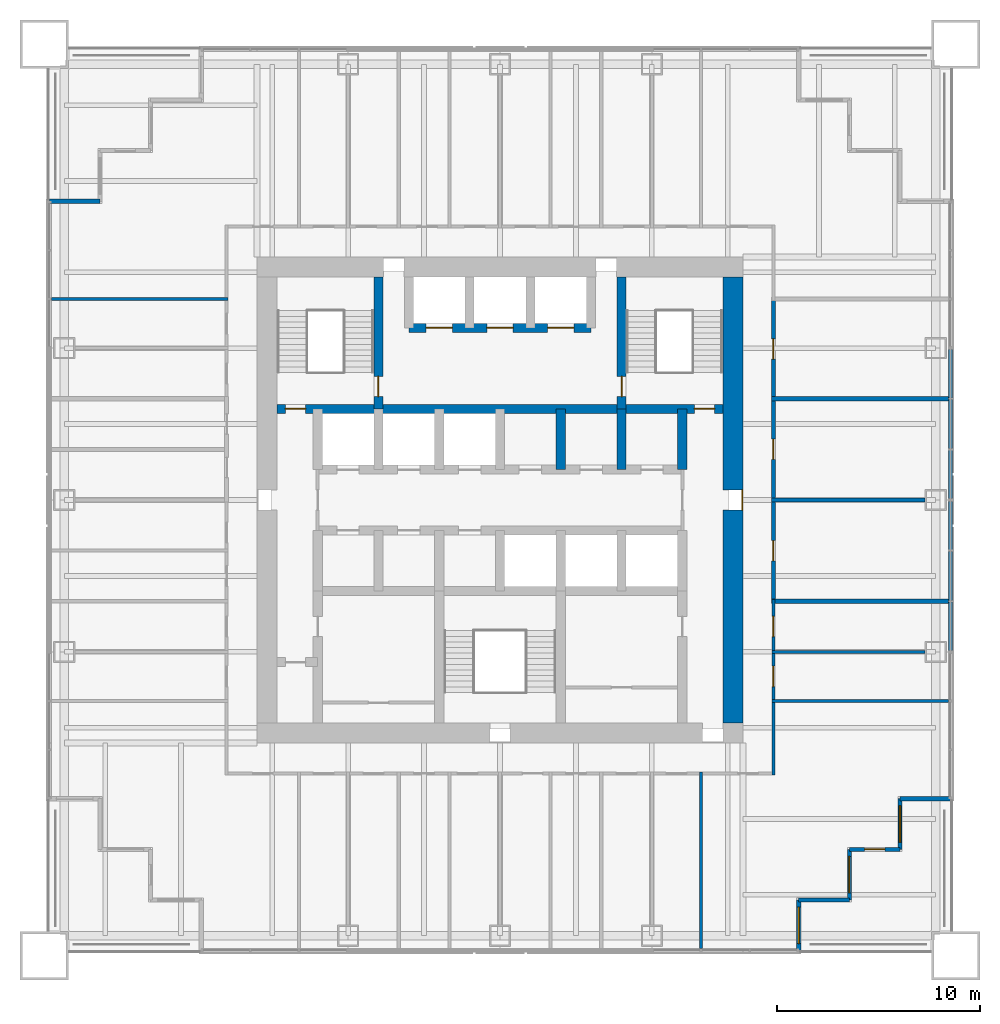
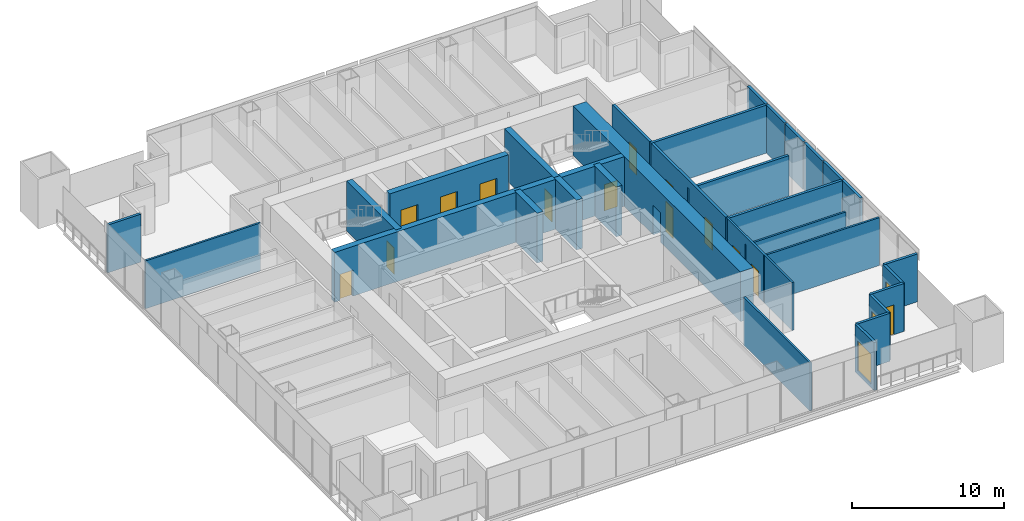
# One storey, part 10 of 14: 30 walls, 14 doors, 3 windows, 17 openings.
"""IFC4 building model written with IfcOpenShell, lengths in metres."""

from ifc_helpers import new_model, si_unit, direction, frame, frame_2d, origin, place, context, subcontext, project, spatial, rectangle, extrude, material, layer, layer_set, type_object, element, fill, save


model = new_model("IFC4")

# Units and contexts
model_context = context("Model", 3, precision=1e-05, world=origin(), true_north=direction((0.0, 1.0)))
body_context = subcontext(model_context, "Body", "Model", "MODEL_VIEW")
ifc_project = project(units=[si_unit("LENGTHUNIT", "METRE"), si_unit("AREAUNIT", "SQUARE_METRE"), si_unit("VOLUMEUNIT", "CUBIC_METRE"), si_unit("PLANEANGLEUNIT", "RADIAN"), si_unit("MASSUNIT", "GRAM", prefix="KILO")], contexts=[model_context])

# Site, building, storey
site_placement = place(None, origin())
site = spatial("IfcSite", under=ifc_project, at=site_placement, CompositionType="ELEMENT")
building_placement = place(site_placement, origin())
building = spatial("IfcBuilding", under=site, at=building_placement, Name="Tarangal Relay Tower", CompositionType="ELEMENT")
storey_placement = place(building_placement, frame((0.0, 0.0, 229.89990234375)))
storey = spatial("IfcBuildingStorey", under=building, at=storey_placement, Name="L49", CompositionType="ELEMENT", Elevation=229.89990234375)

# Walls
ifc_material_1 = material(Name="Two layers gypsum board each side on twin steel studs, mineral wool", Category="steel")
ifc_layer_1 = layer(ifc_material_1, 0.199951171875)
ifc_layer_set_1 = layer_set([ifc_layer_1], Name="Acoustic partition 200")
wall_type_1 = type_object("IfcWallType", Name="Acoustic partition 200", PredefinedType="PARTITIONING", material=ifc_layer_set_1)
wall_1_placement = place(storey_placement, frame((13.39990234375, -5.0, 0.0), z_axis=(0.0, 0.0, 1.0), x_axis=(1.0, 0.0, 0.0)))
element("IfcWall", 1, at=wall_1_placement, inside=storey, type_object=wall_type_1, Name="Partition PT2 L49", PredefinedType="PARTITIONING", context=body_context, shape_type="SweptSolid", body=[
    extrude(rectangle(XDim=8.75, YDim=0.199951171875, at=frame_2d((4.375, 0.0))), origin(), (0.0, 0.0, 1.0), 3.85009765625),
])
wall_2_placement = place(storey_placement, frame((13.39990234375, 0.0, 0.0), z_axis=(0.0, 0.0, 1.0), x_axis=(1.0, 0.0, 0.0)))
element("IfcWall", 2, at=wall_2_placement, inside=storey, type_object=wall_type_1, Name="Partition PT2 L49", PredefinedType="PARTITIONING", context=body_context, shape_type="SweptSolid", body=[
    extrude(rectangle(XDim=7.590087890625, YDim=0.199951171875, at=frame_2d((3.794921875, 0.0))), origin(), (0.0, 0.0, 1.0), 3.238037109375),
])
wall_3_placement = place(storey_placement, frame((13.39990234375, 5.0, 0.0), z_axis=(0.0, 0.0, 1.0), x_axis=(1.0, 0.0, 0.0)))
element("IfcWall", 3, at=wall_3_placement, inside=storey, type_object=wall_type_1, Name="Partition PT2 L49", PredefinedType="PARTITIONING", context=body_context, shape_type="SweptSolid", body=[
    extrude(rectangle(XDim=8.75, YDim=0.199951171875, at=frame_2d((4.375, 0.0))), origin(), (0.0, 0.0, 1.0), 3.85009765625),
])

# Wall, openings, doors
wall_4_placement = place(storey_placement, frame((13.5, -5.10009765625, 0.0), z_axis=(0.0, 0.0, 1.0), x_axis=(0.0, 1.0, 0.0)))
wall_4 = element("IfcWall", 4, at=wall_4_placement, inside=storey, type_object=wall_type_1, Name="Partition PT2 L49", PredefinedType="PARTITIONING", context=body_context, shape_type="SweptSolid", body=[
    extrude(rectangle(XDim=15.1171875, YDim=0.199951171875, at=frame_2d((7.55859375, 0.0))), origin(), (0.0, 0.0, 1.0), 3.85009765625),
])
opening_1_placement = place(wall_4_placement, frame((12.05859375, 0.0, 0.0)))
opening_1 = element("IfcOpeningElement", 5, at=opening_1_placement, cuts=wall_4, Name="Opening D2", PredefinedType="OPENING", context=body_context, shape_type="SweptSolid", body=[
    extrude(rectangle(XDim=1.0, YDim=2.10009765625, at=frame_2d((0.5, 1.050048828125))), frame((0.0, 0.10986328125, 0.0), z_axis=(0.0, -1.0, 0.0), x_axis=(1.0, 0.0, 0.0)), (0.0, 0.0, 1.0), 0.219970703125),
])
opening_2_placement = place(wall_4_placement, frame((7.10009765625, 0.0, 0.0)))
opening_2 = element("IfcOpeningElement", 6, at=opening_2_placement, cuts=wall_4, Name="Opening D2", PredefinedType="OPENING", context=body_context, shape_type="SweptSolid", body=[
    extrude(rectangle(XDim=1.0, YDim=2.10009765625, at=frame_2d((0.5, 1.050048828125))), frame((0.0, 0.10986328125, 0.0), z_axis=(0.0, -1.0, 0.0), x_axis=(1.0, 0.0, 0.0)), (0.0, 0.0, 1.0), 0.219970703125),
])
opening_3_placement = place(wall_4_placement, frame((2.10009765625, 0.0, 0.0)))
opening_3 = element("IfcOpeningElement", 7, at=opening_3_placement, cuts=wall_4, Name="Opening D2", PredefinedType="OPENING", context=body_context, shape_type="SweptSolid", body=[
    extrude(rectangle(XDim=1.0, YDim=2.10009765625, at=frame_2d((0.5, 1.050048828125))), frame((0.0, 0.10986328125, 0.0), z_axis=(0.0, -1.0, 0.0), x_axis=(1.0, 0.0, 0.0)), (0.0, 0.0, 1.0), 0.219970703125),
])
ifc_material_2 = material(Name="Hardwood door", Category="wood")
door_type_1 = type_object("IfcDoorType", Name="Door 1000 x 2100", OperationType="SINGLE_SWING_LEFT", PredefinedType="DOOR", material=ifc_material_2)
door_1_placement = place(opening_1_placement, origin())
door_1 = element("IfcDoor", 8, at=door_1_placement, inside=storey, type_object=door_type_1, Name="Door D2 to meeting room L49-10", OperationType="SINGLE_SWING_LEFT", OverallHeight=2.10009765625, OverallWidth=1.0, PredefinedType="DOOR", context=body_context, shape_type="SweptSolid", body=[
    extrude(rectangle(XDim=1.0, YDim=2.10009765625, at=frame_2d((0.5, 1.050048828125))), frame((0.0, 0.02490234375, 0.0), z_axis=(0.0, -1.0, 0.0), x_axis=(1.0, 0.0, 0.0)), (0.0, 0.0, 1.0), 0.050048828125),
])
fill(opening_1, door_1)
door_2_placement = place(opening_2_placement, origin())
door_2 = element("IfcDoor", 9, at=door_2_placement, inside=storey, type_object=door_type_1, Name="Door D2 to boardroom L49-11", OperationType="SINGLE_SWING_LEFT", OverallHeight=2.10009765625, OverallWidth=1.0, PredefinedType="DOOR", context=body_context, shape_type="SweptSolid", body=[
    extrude(rectangle(XDim=1.0, YDim=2.10009765625, at=frame_2d((0.5, 1.050048828125))), frame((0.0, 0.02490234375, 0.0), z_axis=(0.0, -1.0, 0.0), x_axis=(1.0, 0.0, 0.0)), (0.0, 0.0, 1.0), 0.050048828125),
])
fill(opening_2, door_2)
door_3_placement = place(opening_3_placement, origin())
door_3 = element("IfcDoor", 10, at=door_3_placement, inside=storey, type_object=door_type_1, Name="Door D2 to meeting room L49-12", OperationType="SINGLE_SWING_LEFT", OverallHeight=2.10009765625, OverallWidth=1.0, PredefinedType="DOOR", context=body_context, shape_type="SweptSolid", body=[
    extrude(rectangle(XDim=1.0, YDim=2.10009765625, at=frame_2d((0.5, 1.050048828125))), frame((0.0, 0.02490234375, 0.0), z_axis=(0.0, -1.0, 0.0), x_axis=(1.0, 0.0, 0.0)), (0.0, 0.0, 1.0), 0.050048828125),
])
fill(opening_3, door_3)

ifc_material_3 = material(Name="Concrete fc' 60 MPa", Category="concrete")
ifc_layer_2 = layer(ifc_material_3, 0.449951171875)
ifc_layer_set_2 = layer_set([ifc_layer_2], Name="Core inner wall 450")
wall_type_2 = type_object("IfcWallType", Name="Core inner wall 450", PredefinedType="SHEAR", material=ifc_layer_set_2)
wall_5_placement = place(storey_placement, frame((-11.0, 4.5, 0.0), z_axis=(0.0, 0.0, 1.0), x_axis=(1.0, 0.0, 0.0)))
wall_5 = element("IfcWall", 11, at=wall_5_placement, inside=storey, type_object=wall_type_2, Name="Core wall Y45 L49", PredefinedType="SHEAR", context=body_context, shape_type="SweptSolid", body=[
    extrude(rectangle(XDim=22.0, YDim=0.449951171875, at=frame_2d((11.0, 0.0))), origin(), (0.0, 0.0, 1.0), 4.0),
])
opening_4_placement = place(wall_5_placement, frame((0.39990234375, 0.0, 0.0)))
opening_4 = element("IfcOpeningElement", 12, at=opening_4_placement, cuts=wall_5, Name="Opening FD1", PredefinedType="OPENING", context=body_context, shape_type="SweptSolid", body=[
    extrude(rectangle(XDim=1.0, YDim=2.10009765625, at=frame_2d((0.5, 1.050048828125))), frame((0.0, 0.23486328125, 0.0), z_axis=(0.0, -1.0, 0.0), x_axis=(1.0, 0.0, 0.0)), (0.0, 0.0, 1.0), 0.469970703125),
])
opening_5_placement = place(wall_5_placement, frame((20.60009765625, 0.0, 0.0)))
opening_5 = element("IfcOpeningElement", 13, at=opening_5_placement, cuts=wall_5, Name="Opening FD1", PredefinedType="OPENING", context=body_context, shape_type="SweptSolid", body=[
    extrude(rectangle(XDim=1.0, YDim=2.10009765625, at=frame_2d((0.5, 1.050048828125))), frame((0.0, 0.23486328125, 0.0), z_axis=(0.0, -1.0, 0.0), x_axis=(1.0, 0.0, 0.0)), (0.0, 0.0, 1.0), 0.469970703125),
])
ifc_material_4 = material(Name="Steel door with hardwood frame", Category="steel")
door_type_2 = type_object("IfcDoorType", Name="Fire door 1000 x 2100", OperationType="SINGLE_SWING_LEFT", PredefinedType="DOOR", material=ifc_material_4)
door_4_placement = place(opening_4_placement, origin())
door_4 = element("IfcDoor", 14, at=door_4_placement, inside=storey, type_object=door_type_2, Name="Stair ST-A door from corridor L49", OperationType="SINGLE_SWING_LEFT", OverallHeight=2.10009765625, OverallWidth=1.0, PredefinedType="DOOR", context=body_context, shape_type="SweptSolid", body=[
    extrude(rectangle(XDim=1.0, YDim=2.10009765625, at=frame_2d((0.5, 1.050048828125))), frame((0.0, 0.02490234375, 0.0), z_axis=(0.0, -1.0, 0.0), x_axis=(1.0, 0.0, 0.0)), (0.0, 0.0, 1.0), 0.050048828125),
])
fill(opening_4, door_4)
door_5_placement = place(opening_5_placement, origin())
door_5 = element("IfcDoor", 15, at=door_5_placement, inside=storey, type_object=door_type_2, Name="Stair ST-B door from corridor L49", OperationType="SINGLE_SWING_LEFT", OverallHeight=2.10009765625, OverallWidth=1.0, PredefinedType="DOOR", context=body_context, shape_type="SweptSolid", body=[
    extrude(rectangle(XDim=1.0, YDim=2.10009765625, at=frame_2d((0.5, 1.050048828125))), frame((0.0, 0.02490234375, 0.0), z_axis=(0.0, -1.0, 0.0), x_axis=(1.0, 0.0, 0.0)), (0.0, 0.0, 1.0), 0.050048828125),
])
fill(opening_5, door_5)

wall_6_placement = place(storey_placement, frame((-4.5, 8.5, 0.0), z_axis=(0.0, 0.0, 1.0), x_axis=(1.0, 0.0, 0.0)))
wall_6 = element("IfcWall", 16, at=wall_6_placement, inside=storey, type_object=wall_type_2, Name="Core wall Y85 L49", PredefinedType="SHEAR", context=body_context, shape_type="SweptSolid", body=[
    extrude(rectangle(XDim=9.0, YDim=0.449951171875, at=frame_2d((4.5, 0.0))), origin(), (0.0, 0.0, 1.0), 4.0),
])
opening_6_placement = place(wall_6_placement, frame((0.85009765625, 0.0, 0.0)))
opening_6 = element("IfcOpeningElement", 17, at=opening_6_placement, cuts=wall_6, Name="Opening LD2", PredefinedType="OPENING", context=body_context, shape_type="SweptSolid", body=[
    extrude(rectangle(XDim=1.300048828125, YDim=2.39990234375, at=frame_2d((0.64990234375, 1.199951171875))), frame((0.0, 0.23486328125, 0.0), z_axis=(0.0, -1.0, 0.0), x_axis=(1.0, 0.0, 0.0)), (0.0, 0.0, 1.0), 0.469970703125),
])
opening_7_placement = place(wall_6_placement, frame((6.85009765625, 0.0, 0.0)))
opening_7 = element("IfcOpeningElement", 18, at=opening_7_placement, cuts=wall_6, Name="Opening LD2", PredefinedType="OPENING", context=body_context, shape_type="SweptSolid", body=[
    extrude(rectangle(XDim=1.300048828125, YDim=2.39990234375, at=frame_2d((0.64990234375, 1.199951171875))), frame((0.0, 0.23486328125, 0.0), z_axis=(0.0, -1.0, 0.0), x_axis=(1.0, 0.0, 0.0)), (0.0, 0.0, 1.0), 0.469970703125),
])
opening_8_placement = place(wall_6_placement, frame((3.85009765625, 0.0, 0.0)))
opening_8 = element("IfcOpeningElement", 19, at=opening_8_placement, cuts=wall_6, Name="Opening LD2", PredefinedType="OPENING", context=body_context, shape_type="SweptSolid", body=[
    extrude(rectangle(XDim=1.300048828125, YDim=2.39990234375, at=frame_2d((0.64990234375, 1.199951171875))), frame((0.0, 0.23486328125, 0.0), z_axis=(0.0, -1.0, 0.0), x_axis=(1.0, 0.0, 0.0)), (0.0, 0.0, 1.0), 0.469970703125),
])
door_type_3 = type_object("IfcDoorType", Name="Lift landing door 1300 x 2400", OperationType="SLIDING_TO_LEFT", PredefinedType="DOOR", material=ifc_material_4)
door_6_placement = place(opening_6_placement, origin())
door_6 = element("IfcDoor", 20, at=door_6_placement, inside=storey, type_object=door_type_3, Name="Lift FF1 landing door L49", OperationType="SLIDING_TO_LEFT", OverallHeight=2.39990234375, OverallWidth=1.300048828125, PredefinedType="DOOR", context=body_context, shape_type="SweptSolid", body=[
    extrude(rectangle(XDim=1.300048828125, YDim=2.39990234375, at=frame_2d((0.64990234375, 1.199951171875))), frame((0.0, 0.02490234375, 0.0), z_axis=(0.0, -1.0, 0.0), x_axis=(1.0, 0.0, 0.0)), (0.0, 0.0, 1.0), 0.050048828125),
])
fill(opening_6, door_6)
door_7_placement = place(opening_7_placement, origin())
door_7 = element("IfcDoor", 21, at=door_7_placement, inside=storey, type_object=door_type_3, Name="Lift FF2 landing door L49", OperationType="SLIDING_TO_LEFT", OverallHeight=2.39990234375, OverallWidth=1.300048828125, PredefinedType="DOOR", context=body_context, shape_type="SweptSolid", body=[
    extrude(rectangle(XDim=1.300048828125, YDim=2.39990234375, at=frame_2d((0.64990234375, 1.199951171875))), frame((0.0, 0.02490234375, 0.0), z_axis=(0.0, -1.0, 0.0), x_axis=(1.0, 0.0, 0.0)), (0.0, 0.0, 1.0), 0.050048828125),
])
fill(opening_7, door_7)
door_8_placement = place(opening_8_placement, origin())
door_8 = element("IfcDoor", 22, at=door_8_placement, inside=storey, type_object=door_type_3, Name="Lift SV1 landing door L49", OperationType="SLIDING_TO_LEFT", OverallHeight=2.39990234375, OverallWidth=1.300048828125, PredefinedType="DOOR", context=body_context, shape_type="SweptSolid", body=[
    extrude(rectangle(XDim=1.300048828125, YDim=2.39990234375, at=frame_2d((0.64990234375, 1.199951171875))), frame((0.0, 0.02490234375, 0.0), z_axis=(0.0, -1.0, 0.0), x_axis=(1.0, 0.0, 0.0)), (0.0, 0.0, 1.0), 0.050048828125),
])
fill(opening_8, door_8)

# Walls
for number, where, z_axis, x_axis, name in (
    (23, (9.0, 1.5, 0.0), (0.0, 0.0, 1.0), (0.0, 1.0, 0.0), "Core wall X9N L49"),
    (24, (3.0, 1.5, 0.0), (0.0, 0.0, 1.0), (0.0, 1.0, 0.0), "Core wall X3N L49"),
    (25, (6.0, 1.5, 0.0), (0.0, 0.0, 1.0), (0.0, 1.0, 0.0), "Core wall X6N L49"),
):
    element("IfcWall", number, at=place(storey_placement, frame(where, z_axis=z_axis, x_axis=x_axis)), inside=storey, type_object=wall_type_2, Name=name, PredefinedType="SHEAR", context=body_context, shape_type="SweptSolid", body=[
        extrude(rectangle(XDim=3.0, YDim=0.449951171875, at=frame_2d((1.5, 0.0))), origin(), (0.0, 0.0, 1.0), 4.0),
    ])

# Wall, opening, door
wall_7_placement = place(storey_placement, frame((-6.0, 4.5, 0.0), z_axis=(0.0, 0.0, 1.0), x_axis=(0.0, 1.0, 0.0)))
wall_7 = element("IfcWall", 26, at=wall_7_placement, inside=storey, type_object=wall_type_2, Name="Core wall XM6 L49", PredefinedType="SHEAR", context=body_context, shape_type="SweptSolid", body=[
    extrude(rectangle(XDim=6.5, YDim=0.449951171875, at=frame_2d((3.25, 0.0))), origin(), (0.0, 0.0, 1.0), 4.0),
])
opening_9_placement = place(wall_7_placement, frame((0.60009765625, 0.0, 0.0)))
opening_9 = element("IfcOpeningElement", 27, at=opening_9_placement, cuts=wall_7, Name="Opening FD1", PredefinedType="OPENING", context=body_context, shape_type="SweptSolid", body=[
    extrude(rectangle(XDim=1.0, YDim=2.10009765625, at=frame_2d((0.5, 1.050048828125))), frame((0.0, 0.23486328125, 0.0), z_axis=(0.0, -1.0, 0.0), x_axis=(1.0, 0.0, 0.0)), (0.0, 0.0, 1.0), 0.469970703125),
])
door_9_placement = place(opening_9_placement, origin())
door_9 = element("IfcDoor", 28, at=door_9_placement, inside=storey, type_object=door_type_2, Name="Stair ST-A door from fire-fighting lobby L49", OperationType="SINGLE_SWING_LEFT", OverallHeight=2.10009765625, OverallWidth=1.0, PredefinedType="DOOR", context=body_context, shape_type="SweptSolid", body=[
    extrude(rectangle(XDim=1.0, YDim=2.10009765625, at=frame_2d((0.5, 1.050048828125))), frame((0.0, 0.02490234375, 0.0), z_axis=(0.0, -1.0, 0.0), x_axis=(1.0, 0.0, 0.0)), (0.0, 0.0, 1.0), 0.050048828125),
])
fill(opening_9, door_9)

wall_8_placement = place(storey_placement, frame((6.0, 4.5, 0.0), z_axis=(0.0, 0.0, 1.0), x_axis=(0.0, 1.0, 0.0)))
wall_8 = element("IfcWall", 29, at=wall_8_placement, inside=storey, type_object=wall_type_2, Name="Core wall X6 L49", PredefinedType="SHEAR", context=body_context, shape_type="SweptSolid", body=[
    extrude(rectangle(XDim=6.5, YDim=0.449951171875, at=frame_2d((3.25, 0.0))), origin(), (0.0, 0.0, 1.0), 4.0),
])
opening_10_placement = place(wall_8_placement, frame((0.60009765625, 0.0, 0.0)))
opening_10 = element("IfcOpeningElement", 30, at=opening_10_placement, cuts=wall_8, Name="Opening FD1", PredefinedType="OPENING", context=body_context, shape_type="SweptSolid", body=[
    extrude(rectangle(XDim=1.0, YDim=2.10009765625, at=frame_2d((0.5, 1.050048828125))), frame((0.0, 0.23486328125, 0.0), z_axis=(0.0, -1.0, 0.0), x_axis=(1.0, 0.0, 0.0)), (0.0, 0.0, 1.0), 0.469970703125),
])
door_10_placement = place(opening_10_placement, origin())
door_10 = element("IfcDoor", 31, at=door_10_placement, inside=storey, type_object=door_type_2, Name="Stair ST-B door from fire-fighting lobby L49", OperationType="SINGLE_SWING_LEFT", OverallHeight=2.10009765625, OverallWidth=1.0, PredefinedType="DOOR", context=body_context, shape_type="SweptSolid", body=[
    extrude(rectangle(XDim=1.0, YDim=2.10009765625, at=frame_2d((0.5, 1.050048828125))), frame((0.0, 0.02490234375, 0.0), z_axis=(0.0, -1.0, 0.0), x_axis=(1.0, 0.0, 0.0)), (0.0, 0.0, 1.0), 0.050048828125),
])
fill(opening_10, door_10)

ifc_layer_3 = layer(ifc_material_3, 1.0)
ifc_layer_set_3 = layer_set([ifc_layer_3], Name="Core wall 1000")
wall_type_3 = type_object("IfcWallType", Name="Core wall 1000", PredefinedType="SHEAR", material=ifc_layer_set_3)
wall_9_placement = place(storey_placement, frame((11.5, 11.0, 0.0), z_axis=(0.0, 0.0, 1.0), x_axis=(0.0, -1.0, 0.0)))
wall_9 = element("IfcWall", 32, at=wall_9_placement, inside=storey, type_object=wall_type_3, Name="Core wall E L49", PredefinedType="SHEAR", context=body_context, shape_type="SweptSolid", body=[
    extrude(rectangle(XDim=22.0, YDim=1.0, at=frame_2d((11.0, 0.0))), origin(), (0.0, 0.0, 1.0), 4.0),
])
opening_11_placement = place(wall_9_placement, frame((10.5, 0.0, 0.0)))
opening_11 = element("IfcOpeningElement", 33, at=opening_11_placement, cuts=wall_9, Name="Opening FD3", PredefinedType="OPENING", context=body_context, shape_type="SweptSolid", body=[
    extrude(rectangle(XDim=1.0, YDim=2.39990234375, at=frame_2d((0.5, 1.199951171875))), frame((0.0, 0.510009765625, 0.0), z_axis=(0.0, -1.0, 0.0), x_axis=(1.0, 0.0, 0.0)), (0.0, 0.0, 1.0), 1.02001953125),
])
door_type_4 = type_object("IfcDoorType", Name="Fire door 1000 x 2400 core entry", OperationType="SINGLE_SWING_RIGHT", PredefinedType="DOOR", material=ifc_material_4)
door_11_placement = place(opening_11_placement, origin())
door_11 = element("IfcDoor", 34, at=door_11_placement, inside=storey, type_object=door_type_4, Name="Core entry door east L49", OperationType="SINGLE_SWING_RIGHT", OverallHeight=2.39990234375, OverallWidth=1.0, PredefinedType="DOOR", context=body_context, shape_type="SweptSolid", body=[
    extrude(rectangle(XDim=1.0, YDim=2.39990234375, at=frame_2d((0.5, 1.199951171875))), frame((0.0, 0.48486328125, 0.0), z_axis=(0.0, -1.0, 0.0), x_axis=(1.0, 0.0, 0.0)), (0.0, 0.0, 1.0), 0.050048828125),
])
fill(opening_11, door_11)

# Wall
ifc_material_5 = material(Name="Black metal clad insulated wall", Category="steel")
ifc_layer_4 = layer(ifc_material_5, 0.199951171875)
ifc_layer_set_4 = layer_set([ifc_layer_4], Name="Corner wall metal clad 200")
wall_type_4 = type_object("IfcWallType", Name="Corner wall metal clad 200", PredefinedType="SOLIDWALL", material=ifc_layer_set_4)
wall_10_placement = place(storey_placement, frame((22.25, -14.75, 0.0), z_axis=(0.0, 0.0, 1.0), x_axis=(-1.0, 0.0, 0.0)))
element("IfcWall", 35, at=wall_10_placement, inside=storey, type_object=wall_type_4, Name="Facade wall E facade L49", PredefinedType="SOLIDWALL", context=body_context, shape_type="SweptSolid", body=[
    extrude(rectangle(XDim=2.5, YDim=0.199951171875, at=frame_2d((1.25, 0.0))), origin(), (0.0, 0.0, 1.0), 3.85009765625),
])

# Wall, opening, window
wall_11_placement = place(storey_placement, frame((19.75, -14.75, 0.0), z_axis=(0.0, 0.0, 1.0), x_axis=(0.0, -1.0, 0.0)))
wall_11 = element("IfcWall", 36, at=wall_11_placement, inside=storey, type_object=wall_type_4, Name="Facade wall E facade L49", PredefinedType="SOLIDWALL", context=body_context, shape_type="SweptSolid", body=[
    extrude(rectangle(XDim=2.5, YDim=0.199951171875, at=frame_2d((1.25, 0.0))), origin(), (0.0, 0.0, 1.0), 3.85009765625),
])
opening_12_placement = place(wall_11_placement, frame((0.35009765625, 0.0, 0.300048828125)))
opening_12 = element("IfcOpeningElement", 37, at=opening_12_placement, cuts=wall_11, Name="Opening WN2", PredefinedType="OPENING", context=body_context, shape_type="SweptSolid", body=[
    extrude(rectangle(XDim=1.800048828125, YDim=2.39990234375, at=frame_2d((0.89990234375, 1.199951171875))), frame((0.0, 0.10986328125, 0.0), z_axis=(0.0, -1.0, 0.0), x_axis=(1.0, 0.0, 0.0)), (0.0, 0.0, 1.0), 0.219970703125),
])
ifc_material_6 = material(Name="Dark tinted double glazing in black aluminium frame", Category="aluminium")
window_type = type_object("IfcWindowType", Name="Corner window 1800 x 2400", PartitioningType="SINGLE_PANEL", PredefinedType="WINDOW", material=ifc_material_6)
window_1_placement = place(opening_12_placement, origin())
window_1 = element("IfcWindow", 38, at=window_1_placement, inside=storey, type_object=window_type, Name="Corner window WN2 E facade L49", OverallHeight=2.39990234375, OverallWidth=1.800048828125, PartitioningType="SINGLE_PANEL", PredefinedType="WINDOW", context=body_context, shape_type="SweptSolid", body=[
    extrude(rectangle(XDim=1.800048828125, YDim=2.39990234375, at=frame_2d((0.89990234375, 1.199951171875))), frame((0.0, 0.030029296875, 0.0), z_axis=(0.0, -1.0, 0.0), x_axis=(1.0, 0.0, 0.0)), (0.0, 0.0, 1.0), 0.06005859375),
])
fill(opening_12, window_1)

# Wall, opening, door
wall_12_placement = place(storey_placement, frame((19.75, -17.25, 0.0), z_axis=(0.0, 0.0, 1.0), x_axis=(-1.0, 0.0, 0.0)))
wall_12 = element("IfcWall", 39, at=wall_12_placement, inside=storey, type_object=wall_type_4, Name="Facade wall E facade L49", PredefinedType="SOLIDWALL", context=body_context, shape_type="SweptSolid", body=[
    extrude(rectangle(XDim=2.5, YDim=0.199951171875, at=frame_2d((1.25, 0.0))), origin(), (0.0, 0.0, 1.0), 3.85009765625),
])
opening_13_placement = place(wall_12_placement, frame((0.75, 0.0, 0.0)))
opening_13 = element("IfcOpeningElement", 40, at=opening_13_placement, cuts=wall_12, Name="Opening TD1", PredefinedType="OPENING", context=body_context, shape_type="SweptSolid", body=[
    extrude(rectangle(XDim=1.0, YDim=2.39990234375, at=frame_2d((0.5, 1.199951171875))), frame((0.0, 0.10986328125, 0.0), z_axis=(0.0, -1.0, 0.0), x_axis=(1.0, 0.0, 0.0)), (0.0, 0.0, 1.0), 0.219970703125),
])
ifc_material_7 = material(Name="Aluminium glazed door", Category="aluminium")
door_type_5 = type_object("IfcDoorType", Name="Terrace door 1000 x 2400", OperationType="SINGLE_SWING_RIGHT", PredefinedType="DOOR", material=ifc_material_7)
door_12_placement = place(opening_13_placement, origin())
door_12 = element("IfcDoor", 41, at=door_12_placement, inside=storey, type_object=door_type_5, Name="Terrace door TD1 SE L49", OperationType="SINGLE_SWING_RIGHT", OverallHeight=2.39990234375, OverallWidth=1.0, PredefinedType="DOOR", context=body_context, shape_type="SweptSolid", body=[
    extrude(rectangle(XDim=1.0, YDim=2.39990234375, at=frame_2d((0.5, 1.199951171875))), frame((0.0, 0.02490234375, 0.0), z_axis=(0.0, -1.0, 0.0), x_axis=(1.0, 0.0, 0.0)), (0.0, 0.0, 1.0), 0.050048828125),
])
fill(opening_13, door_12)

# Wall, opening, window
wall_13_placement = place(storey_placement, frame((17.25, -17.25, 0.0), z_axis=(0.0, 0.0, 1.0), x_axis=(0.0, -1.0, 0.0)))
wall_13 = element("IfcWall", 42, at=wall_13_placement, inside=storey, type_object=wall_type_4, Name="Facade wall E facade L49", PredefinedType="SOLIDWALL", context=body_context, shape_type="SweptSolid", body=[
    extrude(rectangle(XDim=2.5, YDim=0.199951171875, at=frame_2d((1.25, 0.0))), origin(), (0.0, 0.0, 1.0), 3.85009765625),
])
opening_14_placement = place(wall_13_placement, frame((0.35009765625, 0.0, 0.300048828125)))
opening_14 = element("IfcOpeningElement", 43, at=opening_14_placement, cuts=wall_13, Name="Opening WN2", PredefinedType="OPENING", context=body_context, shape_type="SweptSolid", body=[
    extrude(rectangle(XDim=1.800048828125, YDim=2.39990234375, at=frame_2d((0.89990234375, 1.199951171875))), frame((0.0, 0.10986328125, 0.0), z_axis=(0.0, -1.0, 0.0), x_axis=(1.0, 0.0, 0.0)), (0.0, 0.0, 1.0), 0.219970703125),
])
window_2_placement = place(opening_14_placement, origin())
window_2 = element("IfcWindow", 44, at=window_2_placement, inside=storey, type_object=window_type, Name="Corner window WN2 E facade L49", OverallHeight=2.39990234375, OverallWidth=1.800048828125, PartitioningType="SINGLE_PANEL", PredefinedType="WINDOW", context=body_context, shape_type="SweptSolid", body=[
    extrude(rectangle(XDim=1.800048828125, YDim=2.39990234375, at=frame_2d((0.89990234375, 1.199951171875))), frame((0.0, 0.030029296875, 0.0), z_axis=(0.0, -1.0, 0.0), x_axis=(1.0, 0.0, 0.0)), (0.0, 0.0, 1.0), 0.06005859375),
])
fill(opening_14, window_2)

# Wall
wall_14_placement = place(storey_placement, frame((17.25, -19.75, 0.0), z_axis=(0.0, 0.0, 1.0), x_axis=(-1.0, 0.0, 0.0)))
element("IfcWall", 45, at=wall_14_placement, inside=storey, type_object=wall_type_4, Name="Facade wall E facade L49", PredefinedType="SOLIDWALL", context=body_context, shape_type="SweptSolid", body=[
    extrude(rectangle(XDim=2.5, YDim=0.199951171875, at=frame_2d((1.25, 0.0))), origin(), (0.0, 0.0, 1.0), 3.85009765625),
])

# Wall, opening, window
wall_15_placement = place(storey_placement, frame((14.75, -19.75, 0.0), z_axis=(0.0, 0.0, 1.0), x_axis=(0.0, -1.0, 0.0)))
wall_15 = element("IfcWall", 46, at=wall_15_placement, inside=storey, type_object=wall_type_4, Name="Facade wall E facade L49", PredefinedType="SOLIDWALL", context=body_context, shape_type="SweptSolid", body=[
    extrude(rectangle(XDim=2.5, YDim=0.199951171875, at=frame_2d((1.25, 0.0))), origin(), (0.0, 0.0, 1.0), 3.85009765625),
])
opening_15_placement = place(wall_15_placement, frame((0.35009765625, 0.0, 0.300048828125)))
opening_15 = element("IfcOpeningElement", 47, at=opening_15_placement, cuts=wall_15, Name="Opening WN2", PredefinedType="OPENING", context=body_context, shape_type="SweptSolid", body=[
    extrude(rectangle(XDim=1.800048828125, YDim=2.39990234375, at=frame_2d((0.89990234375, 1.199951171875))), frame((0.0, 0.10986328125, 0.0), z_axis=(0.0, -1.0, 0.0), x_axis=(1.0, 0.0, 0.0)), (0.0, 0.0, 1.0), 0.219970703125),
])
window_3_placement = place(opening_15_placement, origin())
window_3 = element("IfcWindow", 48, at=window_3_placement, inside=storey, type_object=window_type, Name="Corner window WN2 E facade L49", OverallHeight=2.39990234375, OverallWidth=1.800048828125, PartitioningType="SINGLE_PANEL", PredefinedType="WINDOW", context=body_context, shape_type="SweptSolid", body=[
    extrude(rectangle(XDim=1.800048828125, YDim=2.39990234375, at=frame_2d((0.89990234375, 1.199951171875))), frame((0.0, 0.030029296875, 0.0), z_axis=(0.0, -1.0, 0.0), x_axis=(1.0, 0.0, 0.0)), (0.0, 0.0, 1.0), 0.06005859375),
])
fill(opening_15, window_3)

# Walls
wall_16_placement = place(storey_placement, frame((-22.25, 14.75, 0.0), z_axis=(0.0, 0.0, 1.0), x_axis=(1.0, 0.0, 0.0)))
element("IfcWall", 49, at=wall_16_placement, inside=storey, type_object=wall_type_4, Name="Facade wall W facade L49", PredefinedType="SOLIDWALL", context=body_context, shape_type="SweptSolid", body=[
    extrude(rectangle(XDim=2.5, YDim=0.199951171875, at=frame_2d((1.25, 0.0))), origin(), (0.0, 0.0, 1.0), 3.85009765625),
])
ifc_layer_5 = layer(ifc_material_5, 0.199951171875)
ifc_layer_set_5 = layer_set([ifc_layer_5], Name="Facade infill wall metal clad 200")
wall_type_5 = type_object("IfcWallType", Name="Facade infill wall metal clad 200", PredefinedType="SOLIDWALL", material=ifc_layer_set_5)
wall_17_placement = place(storey_placement, frame((22.25, 7.43505859375, 0.0), z_axis=(0.0, 0.0, 1.0), x_axis=(0.0, -1.0, 0.0)))
element("IfcWall", 50, at=wall_17_placement, inside=storey, type_object=wall_type_5, Name="Facade infill wall E facade L49 1.1", PredefinedType="SOLIDWALL", context=body_context, shape_type="SweptSolid", body=[
    extrude(rectangle(XDim=2.402587890625, YDim=0.199951171875, at=frame_2d((1.201171875, 0.0))), origin(), (0.0, 0.0, 1.0), 3.85009765625),
])
wall_18_placement = place(storey_placement, frame((22.25, 4.967529296875, 0.0), z_axis=(0.0, 0.0, 1.0), x_axis=(0.0, -1.0, 0.0)))
element("IfcWall", 51, at=wall_18_placement, inside=storey, type_object=wall_type_5, Name="Facade infill wall E facade L49 2.1", PredefinedType="SOLIDWALL", context=body_context, shape_type="SweptSolid", body=[
    extrude(rectangle(XDim=2.43505859375, YDim=0.199951171875, at=frame_2d((1.217529296875, 0.0))), origin(), (0.0, 0.0, 1.0), 3.85009765625),
])
for number, where, z_axis, x_axis, name in (
    (52, (22.25, 2.467529296875, 0.0), (0.0, 0.0, 1.0), (0.0, -1.0, 0.0), "Facade infill wall E facade L49 3.1"),
    (53, (22.25, -0.06494140625, 0.0), (0.0, 0.0, 1.0), (0.0, -1.0, 0.0), "Facade infill wall E facade L49 1.1"),
):
    element("IfcWall", number, at=place(storey_placement, frame(where, z_axis=z_axis, x_axis=x_axis)), inside=storey, type_object=wall_type_5, Name=name, PredefinedType="SOLIDWALL", context=body_context, shape_type="SweptSolid", body=[
        extrude(rectangle(XDim=2.402587890625, YDim=0.199951171875, at=frame_2d((1.201171875, 0.0))), origin(), (0.0, 0.0, 1.0), 3.85009765625),
    ])
wall_19_placement = place(storey_placement, frame((22.25, -2.532470703125, 0.0), z_axis=(0.0, 0.0, 1.0), x_axis=(0.0, -1.0, 0.0)))
element("IfcWall", 54, at=wall_19_placement, inside=storey, type_object=wall_type_5, Name="Facade infill wall E facade L49 2.1", PredefinedType="SOLIDWALL", context=body_context, shape_type="SweptSolid", body=[
    extrude(rectangle(XDim=2.43505859375, YDim=0.199951171875, at=frame_2d((1.217529296875, 0.0))), origin(), (0.0, 0.0, 1.0), 3.85009765625),
])
wall_20_placement = place(storey_placement, frame((22.25, -5.032470703125, 0.0), z_axis=(0.0, 0.0, 1.0), x_axis=(0.0, -1.0, 0.0)))
element("IfcWall", 55, at=wall_20_placement, inside=storey, type_object=wall_type_5, Name="Facade infill wall E facade L49 3.1", PredefinedType="SOLIDWALL", context=body_context, shape_type="SweptSolid", body=[
    extrude(rectangle(XDim=2.402587890625, YDim=0.199951171875, at=frame_2d((1.201171875, 0.0))), origin(), (0.0, 0.0, 1.0), 3.85009765625),
])
ifc_material_8 = material(Name="Gypsum board on steel studs", Category="steel")
ifc_layer_6 = layer(ifc_material_8, 0.14990234375)
ifc_layer_set_6 = layer_set([ifc_layer_6], Name="Partition 150")
wall_type_6 = type_object("IfcWallType", Name="Partition 150", PredefinedType="PARTITIONING", material=ifc_layer_set_6)
wall_21_placement = place(storey_placement, frame((13.425048828125, -9.9169921875, 0.0), z_axis=(0.0, 0.0, 1.0), x_axis=(1.0, 0.0, 0.0)))
element("IfcWall", 56, at=wall_21_placement, inside=storey, type_object=wall_type_6, Name="Partition PT1 L49", PredefinedType="PARTITIONING", context=body_context, shape_type="SweptSolid", body=[
    extrude(rectangle(XDim=8.724853515625, YDim=0.14990234375, at=frame_2d((4.3623046875, 0.0))), origin(), (0.0, 0.0, 1.0), 3.85009765625),
])
wall_22_placement = place(storey_placement, frame((13.425048828125, -7.5, 0.0), z_axis=(0.0, 0.0, 1.0), x_axis=(1.0, 0.0, 0.0)))
element("IfcWall", 57, at=wall_22_placement, inside=storey, type_object=wall_type_6, Name="Partition PT1 L49", PredefinedType="PARTITIONING", context=body_context, shape_type="SweptSolid", body=[
    extrude(rectangle(XDim=7.56494140625, YDim=0.14990234375, at=frame_2d((3.782470703125, 0.0))), origin(), (0.0, 0.0, 1.0), 3.238037109375),
])
for number, where, z_axis, x_axis, name in (
    (58, (-22.14990234375, 9.9169921875, 0.0), (0.0, 0.0, 1.0), (1.0, 0.0, 0.0), "Partition PT1 L49"),
    (59, (9.9169921875, -22.14990234375, 0.0), (0.0, 0.0, 1.0), (0.0, 1.0, 0.0), "Partition PT1 L49"),
):
    element("IfcWall", number, at=place(storey_placement, frame(where, z_axis=z_axis, x_axis=x_axis)), inside=storey, type_object=wall_type_6, Name=name, PredefinedType="PARTITIONING", context=body_context, shape_type="SweptSolid", body=[
        extrude(rectangle(XDim=8.724853515625, YDim=0.14990234375, at=frame_2d((4.3623046875, 0.0))), origin(), (0.0, 0.0, 1.0), 3.85009765625),
    ])

# Wall, openings, doors
wall_23_placement = place(storey_placement, frame((13.5, -13.574951171875, 0.0), z_axis=(0.0, 0.0, 1.0), x_axis=(0.0, 1.0, 0.0)))
wall_23 = element("IfcWall", 60, at=wall_23_placement, inside=storey, type_object=wall_type_6, Name="Partition PT1 L49", PredefinedType="PARTITIONING", context=body_context, shape_type="SweptSolid", body=[
    extrude(rectangle(XDim=8.64990234375, YDim=0.14990234375, at=frame_2d((4.324951171875, 0.0))), origin(), (0.0, 0.0, 1.0), 3.85009765625),
])
opening_16_placement = place(wall_23_placement, frame((6.824951171875, 0.0, 0.0)))
opening_16 = element("IfcOpeningElement", 61, at=opening_16_placement, cuts=wall_23, Name="Opening D2", PredefinedType="OPENING", context=body_context, shape_type="SweptSolid", body=[
    extrude(rectangle(XDim=1.0, YDim=2.10009765625, at=frame_2d((0.5, 1.050048828125))), frame((0.0, 0.0849609375, 0.0), z_axis=(0.0, -1.0, 0.0), x_axis=(1.0, 0.0, 0.0)), (0.0, 0.0, 1.0), 0.169921875),
])
opening_17_placement = place(wall_23_placement, frame((4.366455078125, 0.0, 0.0)))
opening_17 = element("IfcOpeningElement", 62, at=opening_17_placement, cuts=wall_23, Name="Opening D2", PredefinedType="OPENING", context=body_context, shape_type="SweptSolid", body=[
    extrude(rectangle(XDim=1.0, YDim=2.10009765625, at=frame_2d((0.5, 1.050048828125))), frame((0.0, 0.0849609375, 0.0), z_axis=(0.0, -1.0, 0.0), x_axis=(1.0, 0.0, 0.0)), (0.0, 0.0, 1.0), 0.169921875),
])
door_13_placement = place(opening_16_placement, origin())
door_13 = element("IfcDoor", 63, at=door_13_placement, inside=storey, type_object=door_type_1, Name="Door D2 to cellular office L49-13", OperationType="SINGLE_SWING_LEFT", OverallHeight=2.10009765625, OverallWidth=1.0, PredefinedType="DOOR", context=body_context, shape_type="SweptSolid", body=[
    extrude(rectangle(XDim=1.0, YDim=2.10009765625, at=frame_2d((0.5, 1.050048828125))), frame((0.0, 0.02490234375, 0.0), z_axis=(0.0, -1.0, 0.0), x_axis=(1.0, 0.0, 0.0)), (0.0, 0.0, 1.0), 0.050048828125),
])
fill(opening_16, door_13)
door_14_placement = place(opening_17_placement, origin())
door_14 = element("IfcDoor", 64, at=door_14_placement, inside=storey, type_object=door_type_1, Name="Door D2 to cellular office L49-14", OperationType="SINGLE_SWING_LEFT", OverallHeight=2.10009765625, OverallWidth=1.0, PredefinedType="DOOR", context=body_context, shape_type="SweptSolid", body=[
    extrude(rectangle(XDim=1.0, YDim=2.10009765625, at=frame_2d((0.5, 1.050048828125))), frame((0.0, 0.02490234375, 0.0), z_axis=(0.0, -1.0, 0.0), x_axis=(1.0, 0.0, 0.0)), (0.0, 0.0, 1.0), 0.050048828125),
])
fill(opening_17, door_14)

save(model, "model.ifc")
